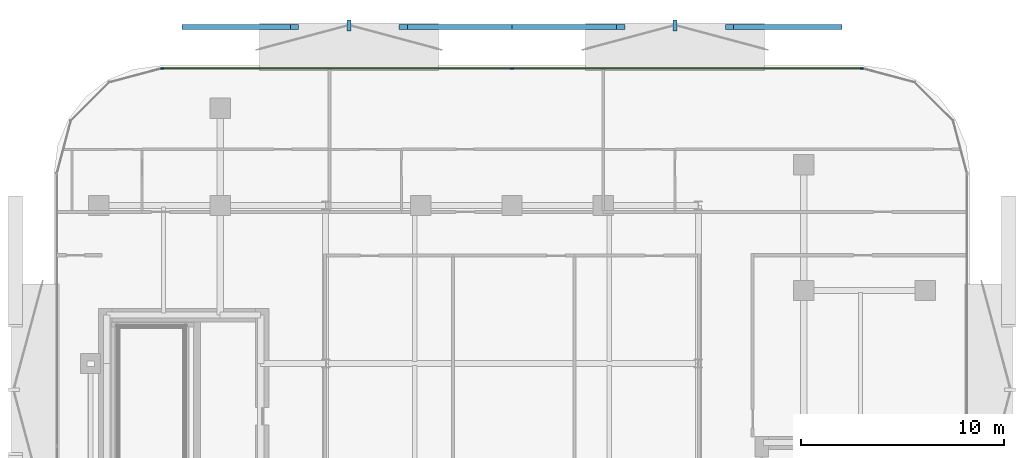
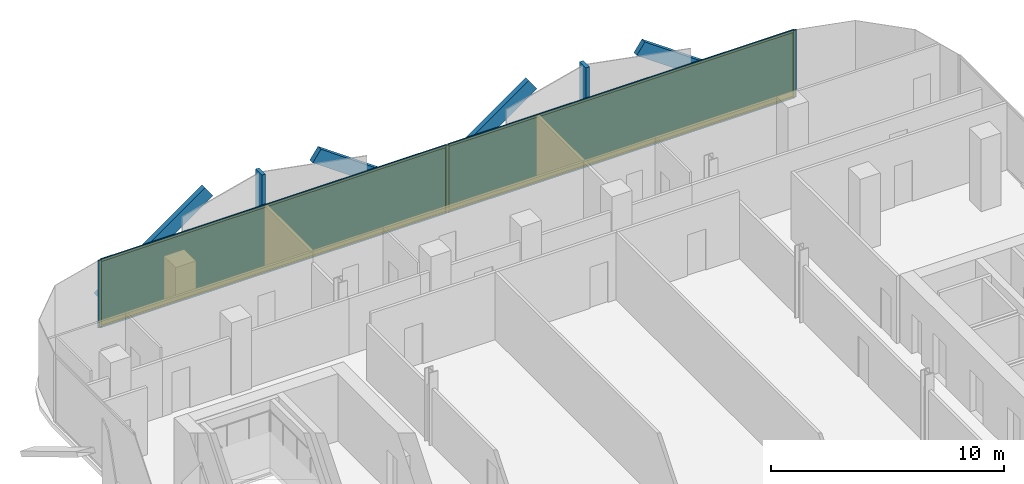
# One storey, part 11 of 16: 13 members, 2 plates, 1 curtain wall.
"""IFC4 building model written with IfcOpenShell, lengths in metres."""

from ifc_helpers import new_model, si_unit, direction, frame, frame_2d, origin, origin_2d, place, context, subcontext, project, spatial, rectangle, extrude, material, layer, layer_set, material_profile, profile_set, type_object, element, aggregate, save


model = new_model("IFC4")

# Units and contexts
model_context = context("Model", 3, precision=1e-05, world=origin(), true_north=direction((0.0, 1.0)))
body_context = subcontext(model_context, "Body", "Model", "MODEL_VIEW")
ifc_project = project(units=[si_unit("LENGTHUNIT", "METRE"), si_unit("AREAUNIT", "SQUARE_METRE"), si_unit("VOLUMEUNIT", "CUBIC_METRE"), si_unit("PLANEANGLEUNIT", "RADIAN"), si_unit("MASSUNIT", "GRAM", prefix="KILO")], contexts=[model_context])

# Member
ifc_material_1 = material(Name="Anodised Bronze Aluminium 6063-T6", Category="aluminium")
ifc_material_profile_1 = material_profile(ifc_material_1, rectangle(XDim=0.260009765625, YDim=0.699951171875, at=origin_2d()))
ifc_profile_set_1 = profile_set([ifc_material_profile_1], Name="Anodised Bronze Aluminium 6063-T6")
member_type_1 = type_object("IfcMemberType", Name="Bronze Diamond Solar-Screen Lattice Rib BDL-700", PredefinedType="MULLION", material=ifc_profile_set_1)
site_placement = place(None, origin())
building_placement = place(site_placement, origin())
storey_placement = place(building_placement, frame((0.0, 0.0, 184.0)))
member_1_placement = place(storey_placement, frame((-16.0908203125, 27.39990234375, -0.1298828125), z_axis=(0.815978490809, 0.0, 0.578082262777), x_axis=(0.0, 1.0, 0.0)))
member_1 = element("IfcMember", 1, at=member_1_placement, type_object=member_type_1, Name="L42 Bronze Diamond Solar Screen Lattice Rib 277A", PredefinedType="MULLION", context=body_context, shape_type="SweptSolid", body=[
    extrude(rectangle(XDim=0.260009765625, YDim=0.699951171875, at=origin_2d()), origin(), (0.0, 0.0, 1.0), 6.5732421875),
])

member_2_placement = place(storey_placement, frame((0.0, 27.39990234375, -0.1298828125), z_axis=(-0.815978490809, 0.0, 0.578082262777), x_axis=(0.0, -1.0, 0.0)))
member_2 = element("IfcMember", 2, at=member_2_placement, type_object=member_type_1, Name="L42 Bronze Diamond Solar Screen Lattice Rib 277B", PredefinedType="MULLION", context=body_context, shape_type="SweptSolid", body=[
    extrude(rectangle(XDim=0.260009765625, YDim=0.699951171875, at=origin_2d()), origin(), (0.0, 0.0, 1.0), 6.5732421875),
])

member_3_placement = place(storey_placement, frame((0.0, 27.39990234375, -0.1298828125), z_axis=(0.815978490809, 0.0, 0.578082262777), x_axis=(0.0, 1.0, 0.0)))
member_3 = element("IfcMember", 3, at=member_3_placement, type_object=member_type_1, Name="L42 Bronze Diamond Solar Screen Lattice Rib 278A", PredefinedType="MULLION", context=body_context, shape_type="SweptSolid", body=[
    extrude(rectangle(XDim=0.260009765625, YDim=0.699951171875, at=origin_2d()), origin(), (0.0, 0.0, 1.0), 6.5732421875),
])

member_4_placement = place(storey_placement, frame((16.0908203125, 27.39990234375, -0.1298828125), z_axis=(-0.815978490809, 0.0, 0.578082262777), x_axis=(0.0, -1.0, 0.0)))
member_4 = element("IfcMember", 4, at=member_4_placement, type_object=member_type_1, Name="L42 Bronze Diamond Solar Screen Lattice Rib 278B", PredefinedType="MULLION", context=body_context, shape_type="SweptSolid", body=[
    extrude(rectangle(XDim=0.260009765625, YDim=0.699951171875, at=origin_2d()), origin(), (0.0, 0.0, 1.0), 6.5732421875),
])

ifc_material_2 = material(Name="Anodised Bronze Aluminium 6063-T6", Category="aluminium")
ifc_material_profile_2 = material_profile(ifc_material_2, rectangle(XDim=0.179931640625, YDim=0.5400390625, at=origin_2d()))
ifc_profile_set_2 = profile_set([ifc_material_profile_2], Name="Anodised Bronze Aluminium 6063-T6")
member_type_2 = type_object("IfcMemberType", Name="Bronze Solar-Screen Vertical Fold Fin BSF-540", PredefinedType="MULLION", material=ifc_profile_set_2)
member_5_placement = place(storey_placement, frame((-8.04541015625, 27.47998046875, -0.1298828125), z_axis=(0.0, 0.0, 1.0), x_axis=(1.0, 0.0, 0.0)))
member_5 = element("IfcMember", 5, at=member_5_placement, type_object=member_type_2, Name="L42 Bronze Solar Screen Vertical Fin 277", PredefinedType="MULLION", context=body_context, shape_type="SweptSolid", body=[
    extrude(rectangle(XDim=0.179931640625, YDim=0.5400390625, at=origin_2d()), origin(), (0.0, 0.0, 1.0), 3.7998046875),
])

member_6_placement = place(storey_placement, frame((8.04541015625, 27.47998046875, -0.1298828125), z_axis=(0.0, 0.0, 1.0), x_axis=(1.0, 0.0, 0.0)))
member_6 = element("IfcMember", 6, at=member_6_placement, type_object=member_type_2, Name="L42 Bronze Solar Screen Vertical Fin 278", PredefinedType="MULLION", context=body_context, shape_type="SweptSolid", body=[
    extrude(rectangle(XDim=0.179931640625, YDim=0.5400390625, at=origin_2d()), origin(), (0.0, 0.0, 1.0), 3.7998046875),
])

ifc_material_3 = material(Name="Anodised Bronze Aluminium 6063-T6", Category="aluminium")
ifc_material_profile_3 = material_profile(ifc_material_3, rectangle(XDim=0.06005859375, YDim=0.1650390625, at=origin_2d()))
ifc_profile_set_3 = profile_set([ifc_material_profile_3], Name="Anodised Bronze Aluminium 6063-T6")
member_type_3 = type_object("IfcMemberType", Name="CW-Z3 Mullion 60x165", PredefinedType="MULLION", material=ifc_profile_set_3)
member_7_placement = place(storey_placement, frame((-17.2607421875, 25.360107421875, 0.0), z_axis=(0.0, 0.0, 1.0), x_axis=(0.0, 1.0, 0.0)))
member_7 = element("IfcMember", 7, at=member_7_placement, type_object=member_type_3, Name="CW-Z3 mullion 1", PredefinedType="MULLION", context=body_context, shape_type="SweptSolid", body=[
    extrude(rectangle(XDim=0.06005859375, YDim=0.1650390625, at=origin_2d()), origin(), (0.0, 0.0, 1.0), 3.5400390625),
])

member_8_placement = place(storey_placement, frame((0.0, 25.360107421875, 0.0), z_axis=(0.0, 0.0, 1.0), x_axis=(0.0, 1.0, 0.0)))
member_8 = element("IfcMember", 8, at=member_8_placement, type_object=member_type_3, Name="CW-Z3 mullion 2", PredefinedType="MULLION", context=body_context, shape_type="SweptSolid", body=[
    extrude(rectangle(XDim=0.06005859375, YDim=0.1650390625, at=origin_2d()), origin(), (0.0, 0.0, 1.0), 3.5400390625),
])

member_9_placement = place(storey_placement, frame((17.2607421875, 25.360107421875, 0.0), z_axis=(0.0, 0.0, 1.0), x_axis=(0.0, 1.0, 0.0)))
member_9 = element("IfcMember", 9, at=member_9_placement, type_object=member_type_3, Name="CW-Z3 mullion 3", PredefinedType="MULLION", context=body_context, shape_type="SweptSolid", body=[
    extrude(rectangle(XDim=0.06005859375, YDim=0.1650390625, at=origin_2d()), origin(), (0.0, 0.0, 1.0), 3.5400390625),
])

ifc_material_4 = material(Name="Anodised Bronze Aluminium 6063-T6", Category="aluminium")
ifc_material_profile_4 = material_profile(ifc_material_4, rectangle(XDim=0.06005859375, YDim=0.1298828125, at=origin_2d()))
ifc_profile_set_4 = profile_set([ifc_material_profile_4], Name="Anodised Bronze Aluminium 6063-T6")
member_type_4 = type_object("IfcMemberType", Name="CW-Z3 Transom 60x130", PredefinedType="USERDEFINED", material=ifc_profile_set_4)
member_10_placement = place(storey_placement, frame((-17.230712890625, 25.360107421875, 0.030029296875), z_axis=(1.0, 0.0, 0.0), x_axis=(0.0, 1.0, 0.0)))
member_10 = element("IfcMember", 10, at=member_10_placement, type_object=member_type_4, Name="CW-Z3 transom 1.1", ObjectType="TRANSOM", PredefinedType="USERDEFINED", context=body_context, shape_type="SweptSolid", body=[
    extrude(rectangle(XDim=0.06005859375, YDim=0.1298828125, at=origin_2d()), origin(), (0.0, 0.0, 1.0), 17.20068359375),
])

member_11_placement = place(storey_placement, frame((-17.230712890625, 25.360107421875, 3.510009765625), z_axis=(1.0, 0.0, 0.0), x_axis=(0.0, 1.0, 0.0)))
member_11 = element("IfcMember", 11, at=member_11_placement, type_object=member_type_4, Name="CW-Z3 transom 1.2", ObjectType="TRANSOM", PredefinedType="USERDEFINED", context=body_context, shape_type="SweptSolid", body=[
    extrude(rectangle(XDim=0.06005859375, YDim=0.1298828125, at=origin_2d()), origin(), (0.0, 0.0, 1.0), 17.20068359375),
])

member_12_placement = place(storey_placement, frame((0.030029296875, 25.360107421875, 0.030029296875), z_axis=(1.0, 0.0, 0.0), x_axis=(0.0, 1.0, 0.0)))
member_12 = element("IfcMember", 12, at=member_12_placement, type_object=member_type_4, Name="CW-Z3 transom 2.1", ObjectType="TRANSOM", PredefinedType="USERDEFINED", context=body_context, shape_type="SweptSolid", body=[
    extrude(rectangle(XDim=0.06005859375, YDim=0.1298828125, at=origin_2d()), origin(), (0.0, 0.0, 1.0), 17.20068359375),
])

member_13_placement = place(storey_placement, frame((0.030029296875, 25.360107421875, 3.510009765625), z_axis=(1.0, 0.0, 0.0), x_axis=(0.0, 1.0, 0.0)))
member_13 = element("IfcMember", 13, at=member_13_placement, type_object=member_type_4, Name="CW-Z3 transom 2.2", ObjectType="TRANSOM", PredefinedType="USERDEFINED", context=body_context, shape_type="SweptSolid", body=[
    extrude(rectangle(XDim=0.06005859375, YDim=0.1298828125, at=origin_2d()), origin(), (0.0, 0.0, 1.0), 17.20068359375),
])

# Plate
ifc_material_5 = material(Name="Low-E Solar Control Laminated Glass", Category="glass")
ifc_layer_1 = layer(ifc_material_5, 0.030029296875, Name="Low-E Solar Control Laminated Glass")
ifc_layer_set_1 = layer_set([ifc_layer_1], Name="Low-E Solar Control Laminated Glass")
plate_type = type_object("IfcPlateType", Name="CW-Z3 Low-E Double Glazed Panel 30mm", PredefinedType="CURTAIN_PANEL", material=ifc_layer_set_1)
plate_1_placement = place(storey_placement, frame((-8.63037109375, 25.360107421875, 0.06005859375), z_axis=(0.0, 0.0, 1.0), x_axis=(1.0, 0.0, 0.0)))
plate_1 = element("IfcPlate", 14, at=plate_1_placement, type_object=plate_type, Name="CW-Z3 panel 1.1", PredefinedType="CURTAIN_PANEL", context=body_context, shape_type="SweptSolid", body=[
    extrude(rectangle(XDim=17.20068359375, YDim=0.030029296875, at=origin_2d()), origin(), (0.0, 0.0, 1.0), 3.419921875),
])

plate_2_placement = place(storey_placement, frame((8.63037109375, 25.360107421875, 0.06005859375), z_axis=(0.0, 0.0, 1.0), x_axis=(1.0, 0.0, 0.0)))
plate_2 = element("IfcPlate", 15, at=plate_2_placement, type_object=plate_type, Name="CW-Z3 panel 2.1", PredefinedType="CURTAIN_PANEL", context=body_context, shape_type="SweptSolid", body=[
    extrude(rectangle(XDim=17.20068359375, YDim=0.030029296875, at=origin_2d()), origin(), (0.0, 0.0, 1.0), 3.419921875),
])

# Site, building, storey
site = spatial("IfcSite", under=ifc_project, at=site_placement, CompositionType="ELEMENT")
building = spatial("IfcBuilding", under=site, at=building_placement, Name="Khairoan Windgate Tower", CompositionType="ELEMENT")
storey = spatial("IfcBuildingStorey", under=building, at=storey_placement, Name="L42", CompositionType="ELEMENT", Elevation=184.0)

# Curtain wall
ifc_material_6 = material(Name="Anodised Bronze Aluminium 6063-T6", Category="aluminium")
ifc_layer_2 = layer(ifc_material_6, 0.1650390625, Name="Anodised Bronze Aluminium 6063-T6")
ifc_layer_set_2 = layer_set([ifc_layer_2], Name="Anodised Bronze Aluminium 6063-T6")
curtain_wall_type = type_object("IfcCurtainWallType", Name="Luxury Hotel Acoustic Curtain Wall CW-Z3", PredefinedType="NOTDEFINED", material=ifc_layer_set_2)
curtain_wall_placement = place(storey_placement, frame((-17.290771484375, 25.360107421875, 0.0), z_axis=(0.0, 0.0, 1.0), x_axis=(1.0, 0.0, 0.0)))
curtain_wall = element("IfcCurtainWall", 16, at=curtain_wall_placement, inside=storey, type_object=curtain_wall_type, Name="L42 Unitised Curtain Wall 9", PredefinedType="NOTDEFINED", context=body_context, shape_type="SweptSolid", body=[
    extrude(rectangle(XDim=34.58154296875, YDim=0.010009765625, at=frame_2d((17.290771484375, 0.0))), origin(), (0.0, 0.0, 1.0), 3.5400390625),
])

aggregate(curtain_wall, [member_7, member_8, member_9, member_10, member_11, plate_1, member_12, member_13, plate_2, member_1, member_2, member_5, member_3, member_4, member_6])

save(model, "model.ifc")
